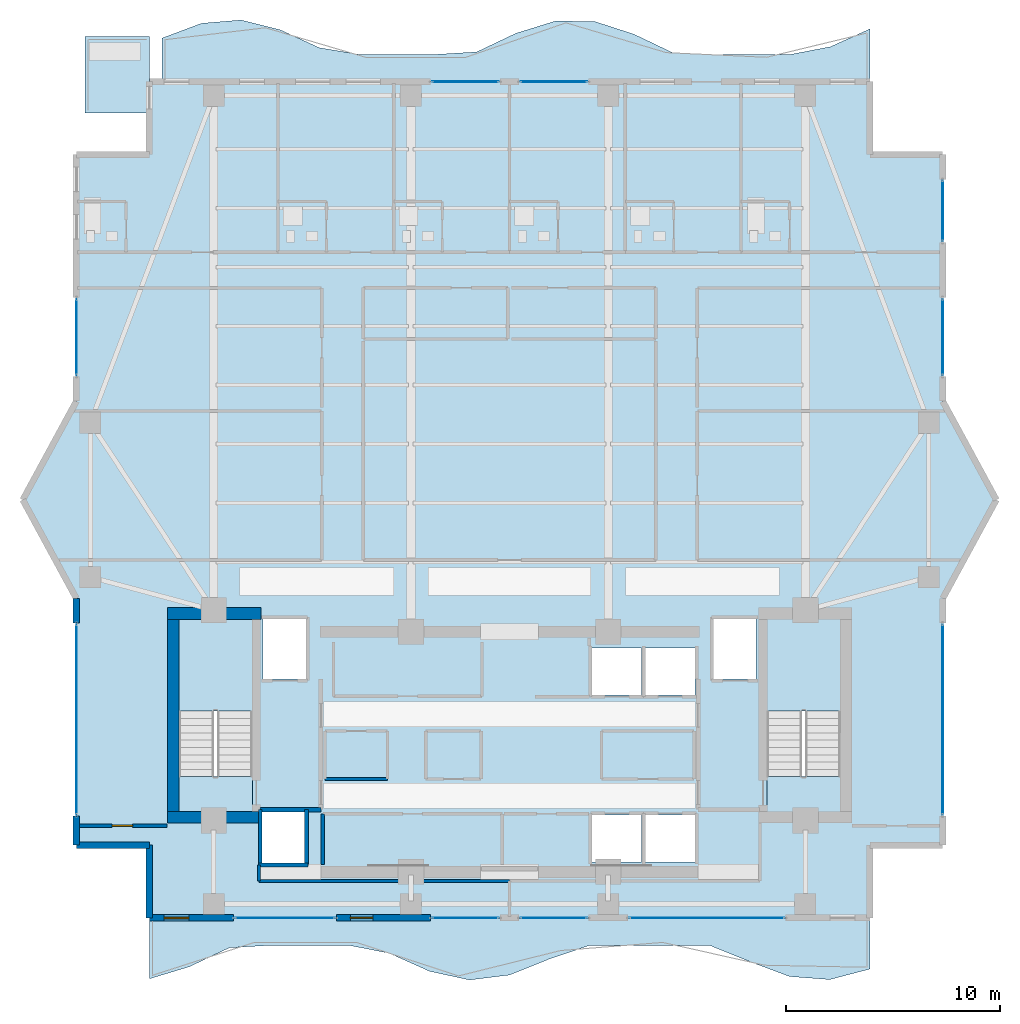
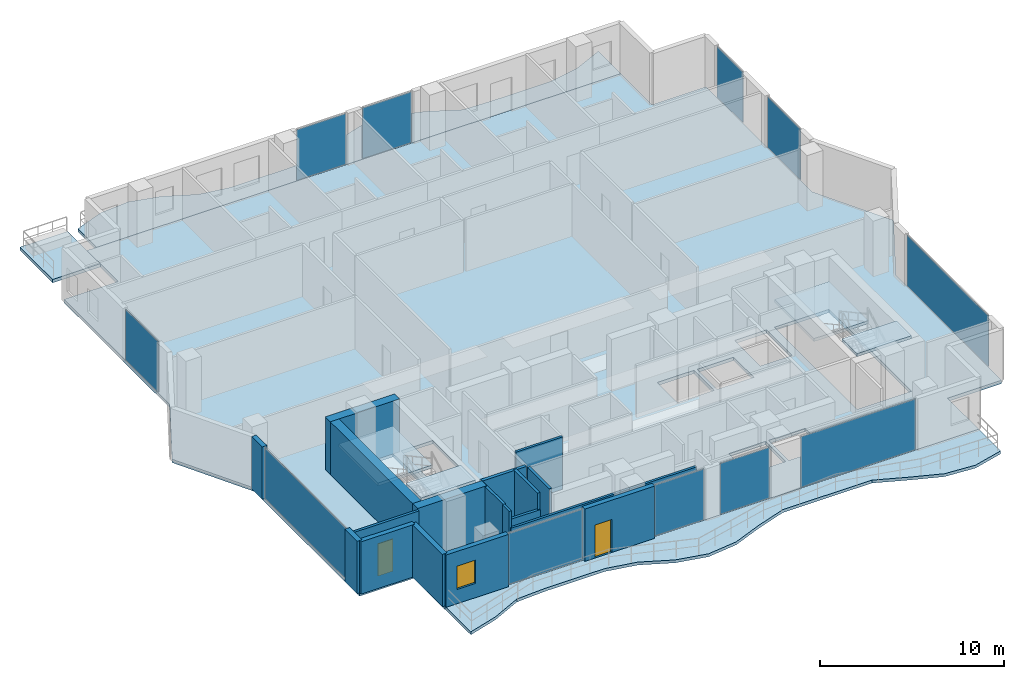
# One storey, part 16 of 23: 18 walls, 11 plates, 8 slabs, 2 doors, 1 window, 3 openings, 13 elements without a shape of their own.
"""IFC4 building model written with IfcOpenShell, lengths in metres."""

from ifc_helpers import new_model, si_unit, direction, frame, frame_2d, origin, origin_2d, place, context, subcontext, project, spatial, polyline, rectangle, outline, extrude, material, layer, layer_set, type_object, element, fill, aggregate, save


model = new_model("IFC4")

# Units and contexts
model_context = context("Model", 3, precision=1e-05, world=origin(), true_north=direction((0.0, 1.0)))
body_context = subcontext(model_context, "Body", "Model", "MODEL_VIEW")
ifc_project = project(units=[si_unit("LENGTHUNIT", "METRE"), si_unit("AREAUNIT", "SQUARE_METRE"), si_unit("VOLUMEUNIT", "CUBIC_METRE"), si_unit("PLANEANGLEUNIT", "RADIAN"), si_unit("MASSUNIT", "GRAM", prefix="KILO")], contexts=[model_context])

# Site, building, storey
site_placement = place(None, origin())
site = spatial("IfcSite", under=ifc_project, at=site_placement, CompositionType="ELEMENT")
building_placement = place(site_placement, origin())
building = spatial("IfcBuilding", under=site, at=building_placement, Name="Zuhayl Quay Hotel", CompositionType="ELEMENT")
storey_placement = place(building_placement, frame((0.0, 0.0, 272.949951171875)))
storey = spatial("IfcBuildingStorey", under=building, at=storey_placement, Name="L69", CompositionType="ELEMENT", Elevation=272.949951171875)

# Curtain wall, plate
ifc_material_1 = material(Name="Anodised Aluminium 6063-T6", Category="aluminium")
ifc_layer_1 = layer(ifc_material_1, 0.169921875, Name="Anodised Aluminium 6063-T6", Category="aluminium")
ifc_layer_set_1 = layer_set([ifc_layer_1], Name="Anodised Aluminium 6063-T6")
curtain_wall_type = type_object("IfcCurtainWallType", Name="CW_SYS_Z4", PredefinedType="USERDEFINED", material=ifc_layer_set_1)
curtain_wall_1_placement = place(storey_placement, origin())
curtain_wall_1 = element("IfcCurtainWall", 1, at=curtain_wall_1_placement, inside=storey, type_object=curtain_wall_type, Name="L69 Curtain Wall ENV_L69_E02_CW1", ObjectType="UNITISED CURTAIN WALL", PredefinedType="USERDEFINED")
ifc_material_2 = material(Name="Dark Ceramic-Fritted Solar Glass", Category="glass")
ifc_layer_2 = layer(ifc_material_2, 0.035888671875, Name="Dark Ceramic-Fritted Solar Glass", Category="glass")
ifc_layer_set_2 = layer_set([ifc_layer_2], Name="Dark Ceramic-Fritted Solar Glass")
plate_type = type_object("IfcPlateType", Name="PN_DARK_FRIT_Z1", PredefinedType="CURTAIN_PANEL", material=ifc_layer_set_2)
plate_1_placement = place(storey_placement, frame((-20.199951171875, 9.25, 0.054931640625), z_axis=(0.0, 0.0, 1.0), x_axis=(0.0, 1.0, 0.0)))
plate_1 = element("IfcPlate", 2, at=plate_1_placement, type_object=plate_type, Name="CW-Z4 panel 1.1", PredefinedType="CURTAIN_PANEL", context=body_context, shape_type="SweptSolid", body=[
    extrude(rectangle(XDim=8.8701171875, YDim=0.035888671875, at=origin_2d()), origin(), (0.0, 0.0, 1.0), 3.3701171875),
])
aggregate(curtain_wall_1, [plate_1])

curtain_wall_2_placement = place(storey_placement, origin())
curtain_wall_2 = element("IfcCurtainWall", 3, at=curtain_wall_2_placement, inside=storey, type_object=curtain_wall_type, Name="L69 Curtain Wall ENV_L69_E05_CW1", ObjectType="UNITISED CURTAIN WALL", PredefinedType="USERDEFINED")
plate_2_placement = place(storey_placement, frame((-20.199951171875, 27.090087890625, 0.054931640625), z_axis=(0.0, 0.0, 1.0), x_axis=(0.0, 1.0, 0.0)))
plate_2 = element("IfcPlate", 4, at=plate_2_placement, type_object=plate_type, Name="CW-Z4 panel 1.1", PredefinedType="CURTAIN_PANEL", context=body_context, shape_type="SweptSolid", body=[
    extrude(rectangle(XDim=3.550048828125, YDim=0.035888671875, at=origin_2d()), origin(), (0.0, 0.0, 1.0), 3.3701171875),
])
aggregate(curtain_wall_2, [plate_2])

curtain_wall_3_placement = place(storey_placement, origin())
curtain_wall_3 = element("IfcCurtainWall", 5, at=curtain_wall_3_placement, inside=storey, type_object=curtain_wall_type, Name="L69 Curtain Wall ENV_L69_N_CW1", ObjectType="UNITISED CURTAIN WALL", PredefinedType="USERDEFINED")
plate_3_placement = place(storey_placement, frame((-2.06494140625, 39.0, 0.054931640625), z_axis=(0.0, 0.0, 1.0), x_axis=(1.0, 0.0, 0.0)))
plate_3 = element("IfcPlate", 6, at=plate_3_placement, type_object=plate_type, Name="CW-Z4 panel 1.1", PredefinedType="CURTAIN_PANEL", context=body_context, shape_type="SweptSolid", body=[
    extrude(rectangle(XDim=3.10009765625, YDim=0.035888671875, at=origin_2d()), origin(), (0.0, 0.0, 1.0), 3.3701171875),
])
aggregate(curtain_wall_3, [plate_3])

curtain_wall_4_placement = place(storey_placement, origin())
curtain_wall_4 = element("IfcCurtainWall", 7, at=curtain_wall_4_placement, inside=storey, type_object=curtain_wall_type, Name="L69 Curtain Wall ENV_L69_N_CW2", ObjectType="UNITISED CURTAIN WALL", PredefinedType="USERDEFINED")
plate_4_placement = place(storey_placement, frame((2.06494140625, 39.0, 0.054931640625), z_axis=(0.0, 0.0, 1.0), x_axis=(1.0, 0.0, 0.0)))
plate_4 = element("IfcPlate", 8, at=plate_4_placement, type_object=plate_type, Name="CW-Z4 panel 1.1", PredefinedType="CURTAIN_PANEL", context=body_context, shape_type="SweptSolid", body=[
    extrude(rectangle(XDim=3.10009765625, YDim=0.035888671875, at=origin_2d()), origin(), (0.0, 0.0, 1.0), 3.3701171875),
])
aggregate(curtain_wall_4, [plate_4])

curtain_wall_5_placement = place(storey_placement, origin())
curtain_wall_5 = element("IfcCurtainWall", 9, at=curtain_wall_5_placement, inside=storey, type_object=curtain_wall_type, Name="L69 Curtain Wall ENV_L69_E11_CW1", ObjectType="UNITISED CURTAIN WALL", PredefinedType="USERDEFINED")
plate_5_placement = place(storey_placement, frame((20.199951171875, 32.97509765625, 0.054931640625), z_axis=(0.0, 0.0, 1.0), x_axis=(0.0, -1.0, 0.0)))
plate_5 = element("IfcPlate", 10, at=plate_5_placement, type_object=plate_type, Name="CW-Z4 panel 1.1", PredefinedType="CURTAIN_PANEL", context=body_context, shape_type="SweptSolid", body=[
    extrude(rectangle(XDim=2.820068359375, YDim=0.035888671875, at=origin_2d()), origin(), (0.0, 0.0, 1.0), 3.3701171875),
])
aggregate(curtain_wall_5, [plate_5])

curtain_wall_6_placement = place(storey_placement, origin())
curtain_wall_6 = element("IfcCurtainWall", 11, at=curtain_wall_6_placement, inside=storey, type_object=curtain_wall_type, Name="L69 Curtain Wall ENV_L69_E11_CW2", ObjectType="UNITISED CURTAIN WALL", PredefinedType="USERDEFINED")
plate_6_placement = place(storey_placement, frame((20.199951171875, 27.090087890625, 0.054931640625), z_axis=(0.0, 0.0, 1.0), x_axis=(0.0, -1.0, 0.0)))
plate_6 = element("IfcPlate", 12, at=plate_6_placement, type_object=plate_type, Name="CW-Z4 panel 1.1", PredefinedType="CURTAIN_PANEL", context=body_context, shape_type="SweptSolid", body=[
    extrude(rectangle(XDim=3.550048828125, YDim=0.035888671875, at=origin_2d()), origin(), (0.0, 0.0, 1.0), 3.3701171875),
])
aggregate(curtain_wall_6, [plate_6])

curtain_wall_7_placement = place(storey_placement, origin())
curtain_wall_7 = element("IfcCurtainWall", 13, at=curtain_wall_7_placement, inside=storey, type_object=curtain_wall_type, Name="L69 Curtain Wall ENV_L69_E14_CW1", ObjectType="UNITISED CURTAIN WALL", PredefinedType="USERDEFINED")
plate_7_placement = place(storey_placement, frame((20.199951171875, 9.25, 0.054931640625), z_axis=(0.0, 0.0, 1.0), x_axis=(0.0, -1.0, 0.0)))
plate_7 = element("IfcPlate", 14, at=plate_7_placement, type_object=plate_type, Name="CW-Z4 panel 1.1", PredefinedType="CURTAIN_PANEL", context=body_context, shape_type="SweptSolid", body=[
    extrude(rectangle(XDim=8.8701171875, YDim=0.035888671875, at=origin_2d()), origin(), (0.0, 0.0, 1.0), 3.3701171875),
])
aggregate(curtain_wall_7, [plate_7])

curtain_wall_8_placement = place(storey_placement, origin())
curtain_wall_8 = element("IfcCurtainWall", 15, at=curtain_wall_8_placement, inside=storey, type_object=curtain_wall_type, Name="L69 Curtain Wall ENV_L69_S_CW1", ObjectType="UNITISED CURTAIN WALL", PredefinedType="USERDEFINED")
plate_8_placement = place(storey_placement, frame((9.199951171875, 0.0, 0.054931640625), z_axis=(0.0, 0.0, 1.0), x_axis=(-1.0, 0.0, 0.0)))
plate_8 = element("IfcPlate", 16, at=plate_8_placement, type_object=plate_type, Name="CW-Z4 panel 1.1", PredefinedType="CURTAIN_PANEL", context=body_context, shape_type="SweptSolid", body=[
    extrude(rectangle(XDim=7.22998046875, YDim=0.035888671875, at=origin_2d()), origin(), (0.0, 0.0, 1.0), 3.3701171875),
])
aggregate(curtain_wall_8, [plate_8])

curtain_wall_9_placement = place(storey_placement, origin())
curtain_wall_9 = element("IfcCurtainWall", 17, at=curtain_wall_9_placement, inside=storey, type_object=curtain_wall_type, Name="L69 Curtain Wall ENV_L69_S_CW2", ObjectType="UNITISED CURTAIN WALL", PredefinedType="USERDEFINED")
plate_9_placement = place(storey_placement, frame((2.06494140625, 0.0, 0.054931640625), z_axis=(0.0, 0.0, 1.0), x_axis=(-1.0, 0.0, 0.0)))
plate_9 = element("IfcPlate", 18, at=plate_9_placement, type_object=plate_type, Name="CW-Z4 panel 1.1", PredefinedType="CURTAIN_PANEL", context=body_context, shape_type="SweptSolid", body=[
    extrude(rectangle(XDim=3.10009765625, YDim=0.035888671875, at=origin_2d()), origin(), (0.0, 0.0, 1.0), 3.3701171875),
])
aggregate(curtain_wall_9, [plate_9])

curtain_wall_10_placement = place(storey_placement, origin())
curtain_wall_10 = element("IfcCurtainWall", 19, at=curtain_wall_10_placement, inside=storey, type_object=curtain_wall_type, Name="L69 Curtain Wall ENV_L69_S_CW3", ObjectType="UNITISED CURTAIN WALL", PredefinedType="USERDEFINED")
plate_10_placement = place(storey_placement, frame((-2.06494140625, 0.0, 0.054931640625), z_axis=(0.0, 0.0, 1.0), x_axis=(-1.0, 0.0, 0.0)))
plate_10 = element("IfcPlate", 20, at=plate_10_placement, type_object=plate_type, Name="CW-Z4 panel 1.1", PredefinedType="CURTAIN_PANEL", context=body_context, shape_type="SweptSolid", body=[
    extrude(rectangle(XDim=3.10009765625, YDim=0.035888671875, at=origin_2d()), origin(), (0.0, 0.0, 1.0), 3.3701171875),
])
aggregate(curtain_wall_10, [plate_10])

curtain_wall_11_placement = place(storey_placement, origin())
curtain_wall_11 = element("IfcCurtainWall", 21, at=curtain_wall_11_placement, inside=storey, type_object=curtain_wall_type, Name="L69 Curtain Wall ENV_L69_S_CW4", ObjectType="UNITISED CURTAIN WALL", PredefinedType="USERDEFINED")
plate_11_placement = place(storey_placement, frame((-10.4775390625, 0.0, 0.054931640625), z_axis=(0.0, 0.0, 1.0), x_axis=(-1.0, 0.0, 0.0)))
plate_11 = element("IfcPlate", 22, at=plate_11_placement, type_object=plate_type, Name="CW-Z4 panel 1.1", PredefinedType="CURTAIN_PANEL", context=body_context, shape_type="SweptSolid", body=[
    extrude(rectangle(XDim=4.675048828125, YDim=0.035888671875, at=origin_2d()), origin(), (0.0, 0.0, 1.0), 3.3701171875),
])
aggregate(curtain_wall_11, [plate_11])

# Slabs
ifc_material_3 = material(Name="Concrete C45/55", Category="concrete")
ifc_layer_3 = layer(ifc_material_3, 0.195068359375, Name="Concrete C45/55", Category="concrete")
ifc_layer_set_3 = layer_set([ifc_layer_3], Name="Concrete C45/55")
slab_type_1 = type_object("IfcSlabType", Name="SL_BALCONY_195", PredefinedType="FLOOR", material=ifc_layer_set_3)
slab_1_placement = place(storey_placement, frame((0.0, 0.0, -0.195068359375)))
element("IfcSlab", 23, at=slab_1_placement, inside=storey, type_object=slab_type_1, Name="L69 Exterior Rippling Balcony Slab North", PredefinedType="FLOOR", context=body_context, shape_type="SweptSolid", body=[
    extrude(outline(polyline([(-16.199951171875, 39.0), (16.800048828125, 39.0), (16.800048828125, 41.4619140625), (14.966796875, 40.633544921875), (13.13330078125, 40.280029296875), (11.300048828125, 40.280029296875), (9.466796875, 40.280029296875), (7.63330078125, 40.34228515625), (5.800048828125, 41.217529296875), (3.966796875, 41.81103515625), (2.13330078125, 41.828369140625), (0.300048828125, 41.2607421875), (-1.533203125, 40.39013671875), (-3.36669921875, 40.280029296875), (-5.199951171875, 40.280029296875), (-7.033203125, 40.280029296875), (-8.86669921875, 40.584716796875), (-10.699951171875, 41.423828125), (-12.533203125, 41.879150390625), (-14.36669921875, 41.724365234375), (-16.199951171875, 41.036376953125), (-16.199951171875, 39.0)])), origin(), (0.0, 0.0, 1.0), 0.195068359375),
])
slab_2_placement = place(storey_placement, frame((0.0, 0.0, -0.195068359375)))
element("IfcSlab", 24, at=slab_2_placement, inside=storey, type_object=slab_type_1, Name="L69 Exterior Rippling Balcony Slab South", PredefinedType="FLOOR", context=body_context, shape_type="SweptSolid", body=[
    extrude(outline(polyline([(-16.800048828125, -2.8388671875), (-14.933349609375, -2.27490234375), (-13.066650390625, -1.39013671875), (-11.199951171875, -1.280029296875), (-9.333251953125, -1.280029296875), (-7.466796875, -1.280029296875), (-5.60009765625, -1.64990234375), (-3.7333984375, -2.486328125), (-1.86669921875, -2.893310546875), (0.0, -2.661376953125), (1.86669921875, -1.909912109375), (3.7333984375, -1.280029296875), (5.60009765625, -1.280029296875), (7.466796875, -1.280029296875), (9.333251953125, -1.280029296875), (11.199951171875, -2.036376953125), (13.066650390625, -2.732421875), (14.933349609375, -2.872802734375), (16.800048828125, -2.384765625), (16.800048828125, 0.0), (-16.800048828125, 0.0), (-16.800048828125, -2.8388671875)])), origin(), (0.0, 0.0, 1.0), 0.195068359375),
])
ifc_layer_4 = layer(ifc_material_3, 0.219970703125, Name="Concrete C45/55", Category="concrete")
ifc_layer_set_4 = layer_set([ifc_layer_4], Name="Concrete C45/55")
slab_type_2 = type_object("IfcSlabType", Name="SL_FLOOR_220", PredefinedType="FLOOR", material=ifc_layer_set_4)
slab_3_placement = place(storey_placement, frame((0.0, 0.0, -0.219970703125)))
element("IfcSlab", 25, at=slab_3_placement, inside=storey, type_object=slab_type_2, Name="L69 Structural Floor Slab", PredefinedType="FLOOR", context=body_context, shape_type="SweptSolid", body=[
    extrude(outline(polyline([(-16.800048828125, 0.0), (16.800048828125, 0.0), (16.800048828125, 3.39990234375), (20.199951171875, 3.39990234375), (20.199951171875, 14.89990234375), (22.699951171875, 19.5), (20.199951171875, 24.10009765625), (20.199951171875, 35.60009765625), (16.800048828125, 35.60009765625), (16.800048828125, 39.0), (-16.800048828125, 39.0), (-16.800048828125, 35.60009765625), (-20.199951171875, 35.60009765625), (-20.199951171875, 24.10009765625), (-22.699951171875, 19.5), (-20.199951171875, 14.89990234375), (-20.199951171875, 3.39990234375), (-16.800048828125, 3.39990234375), (-16.800048828125, 0.0)]), holes=[polyline([(-12.0, 4.949951171875), (-12.0, 13.949951171875), (-15.429931640625, 13.949951171875), (-15.429931640625, 4.949951171875), (-12.0, 4.949951171875)]), polyline([(15.429931640625, 4.949951171875), (15.429931640625, 13.949951171875), (12.0, 13.949951171875), (12.0, 4.949951171875), (15.429931640625, 4.949951171875)]), polyline([(-11.5, 11.14990234375), (-9.5, 11.14990234375), (-9.5, 13.949951171875), (-11.5, 13.949951171875), (-11.5, 11.14990234375)]), polyline([(9.5, 11.14990234375), (11.5, 11.14990234375), (11.5, 13.949951171875), (9.5, 13.949951171875), (9.5, 11.14990234375)]), polyline([(3.85009765625, 2.60009765625), (6.14990234375, 2.60009765625), (6.14990234375, 4.800048828125), (3.85009765625, 4.800048828125), (3.85009765625, 2.60009765625)]), polyline([(6.35009765625, 2.60009765625), (8.64990234375, 2.60009765625), (8.64990234375, 4.800048828125), (6.35009765625, 4.800048828125), (6.35009765625, 2.60009765625)]), polyline([(3.85009765625, 10.39990234375), (6.14990234375, 10.39990234375), (6.14990234375, 12.60009765625), (3.85009765625, 12.60009765625), (3.85009765625, 10.39990234375)]), polyline([(6.35009765625, 10.39990234375), (8.64990234375, 10.39990234375), (8.64990234375, 12.60009765625), (6.35009765625, 12.60009765625), (6.35009765625, 10.39990234375)]), polyline([(-11.550048828125, 2.550048828125), (-9.550048828125, 2.550048828125), (-9.550048828125, 4.949951171875), (-11.550048828125, 4.949951171875), (-11.550048828125, 2.550048828125)])]), origin(), (0.0, 0.0, 1.0), 0.219970703125),
])

# Stair, slabs
stair_type = type_object("IfcStairType", Name="ST_DOGLEG_TOWER", PredefinedType="HALF_TURN_STAIR", material=ifc_material_3)
stair_1_placement = place(storey_placement, origin())
stair_1 = element("IfcStair", 26, at=stair_1_placement, inside=storey, type_object=stair_type, Name="L69 Smokeproof Exit Stair ST1", PredefinedType="HALF_TURN_STAIR")
ifc_layer_5 = layer(ifc_material_3, 0.199951171875, Name="Concrete C45/55", Category="concrete")
ifc_layer_set_5 = layer_set([ifc_layer_5], Name="Concrete C45/55")
slab_type_3 = type_object("IfcSlabType", Name="SL_STAIR_LANDING_200", PredefinedType="LANDING", material=ifc_layer_set_5)
slab_4_placement = place(storey_placement, frame((0.0, 0.0, 1.650146484375)))
slab_4 = element("IfcSlab", 27, at=slab_4_placement, type_object=slab_type_3, Name="ST1 landing 1", PredefinedType="LANDING", context=body_context, shape_type="SweptSolid", body=[
    extrude(outline(polyline([(-12.0, 9.64990234375), (-12.0, 13.949951171875), (-15.429931640625, 13.949951171875), (-15.429931640625, 9.64990234375), (-12.0, 9.64990234375)])), origin(), (0.0, 0.0, 1.0), 0.199951171875),
])
slab_5_placement = place(storey_placement, frame((0.0, 0.0, 3.5)))
slab_5 = element("IfcSlab", 28, at=slab_5_placement, type_object=slab_type_3, Name="ST1 landing 2", PredefinedType="LANDING", context=body_context, shape_type="SweptSolid", body=[
    extrude(outline(polyline([(-12.0, 4.949951171875), (-12.0, 6.590087890625), (-15.429931640625, 6.590087890625), (-15.429931640625, 4.949951171875), (-12.0, 4.949951171875)])), origin(), (0.0, 0.0, 1.0), 0.199951171875),
])
aggregate(stair_1, [slab_4, slab_5])

stair_2_placement = place(storey_placement, origin())
stair_2 = element("IfcStair", 29, at=stair_2_placement, inside=storey, type_object=stair_type, Name="L69 Smokeproof Exit Stair ST2", PredefinedType="HALF_TURN_STAIR")
slab_6_placement = place(storey_placement, frame((0.0, 0.0, 1.650146484375)))
slab_6 = element("IfcSlab", 30, at=slab_6_placement, type_object=slab_type_3, Name="ST2 landing 1", PredefinedType="LANDING", context=body_context, shape_type="SweptSolid", body=[
    extrude(outline(polyline([(15.429931640625, 9.64990234375), (15.429931640625, 13.949951171875), (12.0, 13.949951171875), (12.0, 9.64990234375), (15.429931640625, 9.64990234375)])), origin(), (0.0, 0.0, 1.0), 0.199951171875),
])
slab_7_placement = place(storey_placement, frame((0.0, 0.0, 3.5)))
slab_7 = element("IfcSlab", 31, at=slab_7_placement, type_object=slab_type_3, Name="ST2 landing 2", PredefinedType="LANDING", context=body_context, shape_type="SweptSolid", body=[
    extrude(outline(polyline([(15.429931640625, 4.949951171875), (15.429931640625, 6.590087890625), (12.0, 6.590087890625), (12.0, 4.949951171875), (15.429931640625, 4.949951171875)])), origin(), (0.0, 0.0, 1.0), 0.199951171875),
])
aggregate(stair_2, [slab_6, slab_7])

# Slab
ifc_layer_6 = layer(ifc_material_3, 0.219970703125, Name="Concrete C45/55", Category="concrete")
ifc_layer_set_6 = layer_set([ifc_layer_6], Name="Concrete C45/55")
slab_type_4 = type_object("IfcSlabType", Name="SL_TERRACE_235", PredefinedType="FLOOR", material=ifc_layer_set_6)
slab_8_placement = place(storey_placement, frame((0.0, 0.0, -0.219970703125)))
element("IfcSlab", 32, at=slab_8_placement, inside=storey, type_object=slab_type_4, Name="L69 Exterior Sky-Terrace Slab L69_SPIRAL_NW", PredefinedType="FLOOR", context=body_context, shape_type="SweptSolid", body=[
    extrude(outline(polyline([(-19.800048828125, 37.550048828125), (-16.800048828125, 37.550048828125), (-16.800048828125, 41.10009765625), (-19.800048828125, 41.10009765625), (-19.800048828125, 37.550048828125)])), origin(), (0.0, 0.0, 1.0), 0.219970703125),
])

# Walls
ifc_material_4 = material(Name="Concrete C50/60", Category="concrete")
ifc_layer_7 = layer(ifc_material_4, 0.550048828125, Name="Concrete C50/60", Category="concrete")
ifc_layer_set_7 = layer_set([ifc_layer_7], Name="Concrete C50/60")
wall_type_1 = type_object("IfcWallType", Name="WL_CORE_550", PredefinedType="SHEAR", material=ifc_layer_set_7)
wall_1_placement = place(storey_placement, frame((-15.9599609375, 14.205078125, 0.0), z_axis=(0.0, 0.0, 1.0), x_axis=(1.0, 0.0, 0.0)))
element("IfcWall", 33, at=wall_1_placement, inside=storey, type_object=wall_type_1, Name="L69 Core Shear Wall CW_NW", PredefinedType="SHEAR", context=body_context, shape_type="SweptSolid", body=[
    extrude(rectangle(XDim=4.35986328125, YDim=0.550048828125, at=frame_2d((2.179931640625, 0.0))), origin(), (0.0, 0.0, 1.0), 3.510009765625),
])
wall_2_placement = place(storey_placement, frame((-15.68505859375, 4.969970703125, 0.0), z_axis=(0.0, 0.0, 1.0), x_axis=(0.0, 1.0, 0.0)))
element("IfcWall", 34, at=wall_2_placement, inside=storey, type_object=wall_type_1, Name="L69 Core Shear Wall CW_W", PredefinedType="SHEAR", context=body_context, shape_type="SweptSolid", body=[
    extrude(rectangle(XDim=8.9599609375, YDim=0.550048828125, at=frame_2d((4.47998046875, 0.0))), origin(), (0.0, 0.0, 1.0), 3.510009765625),
])
wall_3_placement = place(storey_placement, frame((-15.9599609375, 4.695068359375, 0.0), z_axis=(0.0, 0.0, 1.0), x_axis=(1.0, 0.0, 0.0)))
element("IfcWall", 35, at=wall_3_placement, inside=storey, type_object=wall_type_1, Name="L69 Core Shear Wall CW_SW", PredefinedType="SHEAR", context=body_context, shape_type="SweptSolid", body=[
    extrude(rectangle(XDim=4.35986328125, YDim=0.550048828125, at=frame_2d((2.179931640625, 0.0))), origin(), (0.0, 0.0, 1.0), 3.510009765625),
])
ifc_material_5 = material(Name="Precast concrete C45/55", Category="concrete")
ifc_layer_8 = layer(ifc_material_5, 0.300048828125, Name="Precast concrete C45/55", Category="concrete")
ifc_layer_set_8 = layer_set([ifc_layer_8], Name="Precast concrete C45/55")
wall_type_2 = type_object("IfcWallType", Name="WL_EXT_300", PredefinedType="STANDARD", material=ifc_layer_set_8)
wall_4_placement = place(storey_placement, frame((-16.800048828125, 3.39990234375, 0.0), z_axis=(0.0, 0.0, 1.0), x_axis=(-1.0, 0.0, 0.0)))
element("IfcWall", 36, at=wall_4_placement, inside=storey, type_object=wall_type_2, Name="L69 Exterior Precast Wall ENV_L69_EW01", PredefinedType="STANDARD", context=body_context, shape_type="SweptSolid", body=[
    extrude(rectangle(XDim=3.39990234375, YDim=0.300048828125, at=frame_2d((1.699951171875, 0.0))), origin(), (0.0, 0.0, 1.0), 3.47998046875),
])
wall_5_placement = place(storey_placement, frame((-20.199951171875, 3.39990234375, 0.0), z_axis=(0.0, 0.0, 1.0), x_axis=(0.0, 1.0, 0.0)))
element("IfcWall", 37, at=wall_5_placement, inside=storey, type_object=wall_type_2, Name="L69 Exterior Precast Wall ENV_L69_E02_EW1", PredefinedType="STANDARD", context=body_context, shape_type="SweptSolid", body=[
    extrude(rectangle(XDim=1.35009765625, YDim=0.300048828125, at=frame_2d((0.675048828125, 0.0))), origin(), (0.0, 0.0, 1.0), 3.47998046875),
])
wall_6_placement = place(storey_placement, frame((-20.199951171875, 13.75, 0.0), z_axis=(0.0, 0.0, 1.0), x_axis=(0.0, 1.0, 0.0)))
element("IfcWall", 38, at=wall_6_placement, inside=storey, type_object=wall_type_2, Name="L69 Exterior Precast Wall ENV_L69_E02_EW2", PredefinedType="STANDARD", context=body_context, shape_type="SweptSolid", body=[
    extrude(rectangle(XDim=1.14990234375, YDim=0.300048828125, at=frame_2d((0.574951171875, 0.0))), origin(), (0.0, 0.0, 1.0), 3.47998046875),
])

# Wall, opening, door
wall_7_placement = place(storey_placement, frame((-3.679931640625, 0.0, 0.0), z_axis=(0.0, 0.0, 1.0), x_axis=(-1.0, 0.0, 0.0)))
wall_7 = element("IfcWall", 39, at=wall_7_placement, inside=storey, type_object=wall_type_2, Name="L69 Exterior Precast Wall ENV_L69_S_EW4", PredefinedType="STANDARD", context=body_context, shape_type="SweptSolid", body=[
    extrude(rectangle(XDim=4.39501953125, YDim=0.300048828125, at=frame_2d((2.197509765625, 0.0))), origin(), (0.0, 0.0, 1.0), 3.47998046875),
])
opening_1_placement = place(wall_7_placement, frame((2.695068359375, 0.0, 0.0)))
opening_1 = element("IfcOpeningElement", 40, at=opening_1_placement, cuts=wall_7, Name="Opening DG1", PredefinedType="OPENING", context=body_context, shape_type="SweptSolid", body=[
    extrude(rectangle(XDim=1.050048828125, YDim=2.199951171875, at=frame_2d((0.52490234375, 1.10009765625))), frame((0.0, 0.159912109375, 0.0), z_axis=(0.0, -1.0, 0.0), x_axis=(1.0, 0.0, 0.0)), (0.0, 0.0, 1.0), 0.320068359375),
])
ifc_material_6 = material(Name="Anodised Aluminium and Dark Solar Glass", Category="aluminium")
door_type_1 = type_object("IfcDoorType", Name="DR_EXT_TERR_1050", OperationType="NOTDEFINED", PredefinedType="DOOR", material=ifc_material_6)
door_1_placement = place(opening_1_placement, origin())
door_1 = element("IfcDoor", 41, at=door_1_placement, inside=storey, type_object=door_type_1, Name="L69 South Rippling Balcony Door", OperationType="SINGLE_SWING_RIGHT", OverallHeight=2.199951171875, OverallWidth=1.050048828125, PredefinedType="DOOR", context=body_context, shape_type="SweptSolid", body=[
    extrude(rectangle(XDim=1.050048828125, YDim=2.199951171875, at=frame_2d((0.52490234375, 1.10009765625))), frame((0.0, 0.02490234375, 0.0), z_axis=(0.0, -1.0, 0.0), x_axis=(1.0, 0.0, 0.0)), (0.0, 0.0, 1.0), 0.050048828125),
])
fill(opening_1, door_1)

# Wall, opening, window
wall_8_placement = place(storey_placement, frame((-12.8798828125, 0.0, 0.0), z_axis=(0.0, 0.0, 1.0), x_axis=(-1.0, 0.0, 0.0)))
wall_8 = element("IfcWall", 42, at=wall_8_placement, inside=storey, type_object=wall_type_2, Name="L69 Exterior Precast Wall ENV_L69_S_EW5", PredefinedType="STANDARD", context=body_context, shape_type="SweptSolid", body=[
    extrude(rectangle(XDim=3.920166015625, YDim=0.300048828125, at=frame_2d((1.9599609375, 0.0))), origin(), (0.0, 0.0, 1.0), 3.47998046875),
])
opening_2_placement = place(wall_8_placement, frame((2.074951171875, 0.0, 0.949951171875)))
opening_2 = element("IfcOpeningElement", 43, at=opening_2_placement, cuts=wall_8, Name="Opening W01N", PredefinedType="OPENING", context=body_context, shape_type="SweptSolid", body=[
    extrude(rectangle(XDim=1.14990234375, YDim=1.550048828125, at=frame_2d((0.574951171875, 0.77490234375))), frame((0.0, 0.159912109375, 0.0), z_axis=(0.0, -1.0, 0.0), x_axis=(1.0, 0.0, 0.0)), (0.0, 0.0, 1.0), 0.320068359375),
])
window_type = type_object("IfcWindowType", Name="WN_NOTCH_1350", PartitioningType="SINGLE_PANEL", PredefinedType="WINDOW", material=ifc_material_2)
window_placement = place(opening_2_placement, origin())
window = element("IfcWindow", 44, at=window_placement, inside=storey, type_object=window_type, Name="L69 Operable Facade Window 5-1", OverallHeight=1.550048828125, OverallWidth=1.14990234375, PartitioningType="SINGLE_PANEL", PredefinedType="WINDOW", context=body_context, shape_type="SweptSolid", body=[
    extrude(rectangle(XDim=1.14990234375, YDim=1.550048828125, at=frame_2d((0.574951171875, 0.77490234375))), frame((0.0, 0.030029296875, 0.0), z_axis=(0.0, -1.0, 0.0), x_axis=(1.0, 0.0, 0.0)), (0.0, 0.0, 1.0), 0.06005859375),
])
fill(opening_2, window)

# Walls
wall_9_placement = place(storey_placement, frame((-16.800048828125, 0.0, 0.0), z_axis=(0.0, 0.0, 1.0), x_axis=(0.0, 1.0, 0.0)))
element("IfcWall", 45, at=wall_9_placement, inside=storey, type_object=wall_type_2, Name="L69 Exterior Precast Wall ENV_L69_EW18", PredefinedType="STANDARD", context=body_context, shape_type="SweptSolid", body=[
    extrude(rectangle(XDim=3.39990234375, YDim=0.300048828125, at=frame_2d((1.699951171875, 0.0))), origin(), (0.0, 0.0, 1.0), 3.47998046875),
])
ifc_material_7 = material(Name="Acoustic Gypsum Partition STC-58")
ifc_layer_9 = layer(ifc_material_7, 0.14990234375, Name="Acoustic Gypsum Partition STC-58")
ifc_layer_set_9 = layer_set([ifc_layer_9], Name="Acoustic Gypsum Partition STC-58")
wall_type_3 = type_object("IfcWallType", Name="WL_PART_150", PredefinedType="PARTITIONING", material=ifc_layer_set_9)
wall_10_placement = place(storey_placement, frame((-8.7099609375, 2.489990234375, 0.0), z_axis=(0.0, 0.0, 1.0), x_axis=(0.0, 1.0, 0.0)))
element("IfcWall", 46, at=wall_10_placement, inside=storey, type_object=wall_type_3, Name="L69 Partition IW_L69_FMP_SW_W", PredefinedType="PARTITIONING", context=body_context, shape_type="SweptSolid", body=[
    extrude(rectangle(XDim=2.3701171875, YDim=0.14990234375, at=frame_2d((1.18505859375, 0.0))), origin(), (0.0, 0.0, 1.0), 3.47998046875),
])
wall_11_placement = place(storey_placement, frame((-8.610107421875, 6.47998046875, 0.0), z_axis=(0.0, 0.0, 1.0), x_axis=(1.0, 0.0, 0.0)))
element("IfcWall", 47, at=wall_11_placement, inside=storey, type_object=wall_type_3, Name="L69 Partition IW_L69_CORE_HK_S", PredefinedType="PARTITIONING", context=body_context, shape_type="SweptSolid", body=[
    extrude(rectangle(XDim=2.920166015625, YDim=0.14990234375, at=frame_2d((1.4599609375, 0.0))), origin(), (0.0, 0.0, 1.0), 3.47998046875),
])
wall_12_placement = place(storey_placement, frame((-11.679931640625, 1.719970703125, 0.0), z_axis=(0.0, 0.0, 1.0), x_axis=(0.0, 1.0, 0.0)))
element("IfcWall", 48, at=wall_12_placement, inside=storey, type_object=wall_type_3, Name="L69 Partition IW_L69_Z4_SUN_SW_IN", PredefinedType="PARTITIONING", context=body_context, shape_type="SweptSolid", body=[
    extrude(rectangle(XDim=0.75, YDim=0.14990234375, at=frame_2d((0.375, 0.0))), origin(), (0.0, 0.0, 1.0), 3.47998046875),
])
wall_13_placement = place(storey_placement, frame((-11.679931640625, 1.719970703125, 0.0), z_axis=(0.0, 0.0, 1.0), x_axis=(1.0, 0.0, 0.0)))
element("IfcWall", 49, at=wall_13_placement, inside=storey, type_object=wall_type_3, Name="L69 Partition IW_L69_Z4_SUN_SW_SN", PredefinedType="PARTITIONING", context=body_context, shape_type="SweptSolid", body=[
    extrude(rectangle(XDim=11.679931640625, YDim=0.14990234375, at=frame_2d((5.83984375, 0.0))), origin(), (0.0, 0.0, 1.0), 2.380126953125),
])

# Wall, opening, door
ifc_layer_10 = layer(ifc_material_7, 0.159912109375, Name="Acoustic Gypsum Partition STC-58")
ifc_layer_set_10 = layer_set([ifc_layer_10], Name="Acoustic Gypsum Partition STC-58")
wall_type_4 = type_object("IfcWallType", Name="WL_PART_CORR_160", PredefinedType="PARTITIONING", material=ifc_layer_set_10)
wall_14_placement = place(storey_placement, frame((-20.139892578125, 4.300048828125, 0.0), z_axis=(0.0, 0.0, 1.0), x_axis=(1.0, 0.0, 0.0)))
wall_14 = element("IfcWall", 50, at=wall_14_placement, inside=storey, type_object=wall_type_4, Name="L69 Partition IW_L69_Z4_SUN_SW_N", PredefinedType="PARTITIONING", context=body_context, shape_type="SweptSolid", body=[
    extrude(rectangle(XDim=4.159912109375, YDim=0.159912109375, at=frame_2d((2.080078125, 0.0))), origin(), (0.0, 0.0, 1.0), 3.47998046875),
])
opening_3_placement = place(wall_14_placement, frame((1.60498046875, 0.0, 0.0)))
opening_3 = element("IfcOpeningElement", 51, at=opening_3_placement, cuts=wall_14, Name="Opening D03", PredefinedType="OPENING", context=body_context, shape_type="SweptSolid", body=[
    extrude(rectangle(XDim=0.949951171875, YDim=2.14990234375, at=frame_2d((0.47509765625, 1.074951171875))), frame((0.0, 0.08984375, 0.0), z_axis=(0.0, -1.0, 0.0), x_axis=(1.0, 0.0, 0.0)), (0.0, 0.0, 1.0), 0.179931640625),
])
ifc_material_8 = material(Name="Solid Walnut Acoustic Fire Door")
door_type_2 = type_object("IfcDoorType", Name="DR_SUITE_950", OperationType="NOTDEFINED", PredefinedType="DOOR", material=ifc_material_8)
door_2_placement = place(opening_3_placement, origin())
door_2 = element("IfcDoor", 52, at=door_2_placement, inside=storey, type_object=door_type_2, Name="L69 Sunset Salon SW Door", OperationType="SINGLE_SWING_RIGHT", OverallHeight=2.14990234375, OverallWidth=0.949951171875, PredefinedType="DOOR", context=body_context, shape_type="SweptSolid", body=[
    extrude(rectangle(XDim=0.949951171875, YDim=2.14990234375, at=frame_2d((0.47509765625, 1.074951171875))), frame((0.0, 0.02490234375, 0.0), z_axis=(0.0, -1.0, 0.0), x_axis=(1.0, 0.0, 0.0)), (0.0, 0.0, 1.0), 0.050048828125),
])
fill(opening_3, door_2)

# Walls
ifc_material_9 = material(Name="Gypsum Fireboard Assembly EI-90")
ifc_layer_11 = layer(ifc_material_9, 0.1650390625, Name="Gypsum Fireboard Assembly EI-90")
ifc_layer_set_11 = layer_set([ifc_layer_11], Name="Gypsum Fireboard Assembly EI-90")
wall_type_5 = type_object("IfcWallType", Name="WL_PART_SHAFT_160", PredefinedType="PARTITIONING", material=ifc_layer_set_11)
wall_15_placement = place(storey_placement, frame((-11.6298828125, 2.469970703125, 0.0), z_axis=(0.0, 0.0, 1.0), x_axis=(0.0, 1.0, 0.0)))
element("IfcWall", 53, at=wall_15_placement, inside=storey, type_object=wall_type_5, Name="L69 Partition IW_L69_RISER_W", PredefinedType="PARTITIONING", context=body_context, shape_type="SweptSolid", body=[
    extrude(rectangle(XDim=2.580078125, YDim=0.1650390625, at=frame_2d((1.2900390625, 0.0))), origin(), (0.0, 0.0, 1.0), 3.47998046875),
])
wall_16_placement = place(storey_placement, frame((-11.7099609375, 2.469970703125, 0.0), z_axis=(0.0, 0.0, 1.0), x_axis=(1.0, 0.0, 0.0)))
element("IfcWall", 54, at=wall_16_placement, inside=storey, type_object=wall_type_5, Name="L69 Partition IW_L69_RISER_S", PredefinedType="PARTITIONING", context=body_context, shape_type="SweptSolid", body=[
    extrude(rectangle(XDim=2.31005859375, YDim=0.1650390625, at=frame_2d((1.155029296875, 0.0))), origin(), (0.0, 0.0, 1.0), 2.380126953125),
])
ifc_layer_12 = layer(ifc_material_9, 0.179931640625, Name="Gypsum Fireboard Assembly EI-90")
ifc_layer_set_12 = layer_set([ifc_layer_12], Name="Gypsum Fireboard Assembly EI-90")
wall_type_6 = type_object("IfcWallType", Name="WL_PART_SHAFT_180", PredefinedType="PARTITIONING", material=ifc_layer_set_12)
wall_17_placement = place(storey_placement, frame((-9.469970703125, 2.449951171875, 0.0), z_axis=(0.0, 0.0, 1.0), x_axis=(0.0, 1.0, 0.0)))
element("IfcWall", 55, at=wall_17_placement, inside=storey, type_object=wall_type_6, Name="L69 Partition IW_L69_RISER_E", PredefinedType="PARTITIONING", context=body_context, shape_type="SweptSolid", body=[
    extrude(rectangle(XDim=2.60009765625, YDim=0.179931640625, at=frame_2d((1.300048828125, 0.0))), origin(), (0.0, 0.0, 1.0), 3.47998046875),
])
ifc_material_10 = material(Name="Gypsum Fireboard Assembly EI-120")
ifc_layer_13 = layer(ifc_material_10, 0.199951171875, Name="Gypsum Fireboard Assembly EI-120")
ifc_layer_set_13 = layer_set([ifc_layer_13], Name="Gypsum Fireboard Assembly EI-120")
wall_type_7 = type_object("IfcWallType", Name="WL_PART_SHAFT_200", PredefinedType="PARTITIONING", material=ifc_layer_set_13)
wall_18_placement = place(storey_placement, frame((-11.64990234375, 5.050048828125, 0.0), z_axis=(0.0, 0.0, 1.0), x_axis=(1.0, 0.0, 0.0)))
element("IfcWall", 56, at=wall_18_placement, inside=storey, type_object=wall_type_7, Name="L69 Partition IW_L69_FSAE_W_S", PredefinedType="PARTITIONING", context=body_context, shape_type="SweptSolid", body=[
    extrude(rectangle(XDim=2.849853515625, YDim=0.199951171875, at=frame_2d((1.4248046875, 0.0))), origin(), (0.0, 0.0, 1.0), 3.47998046875),
])

save(model, "model.ifc")
